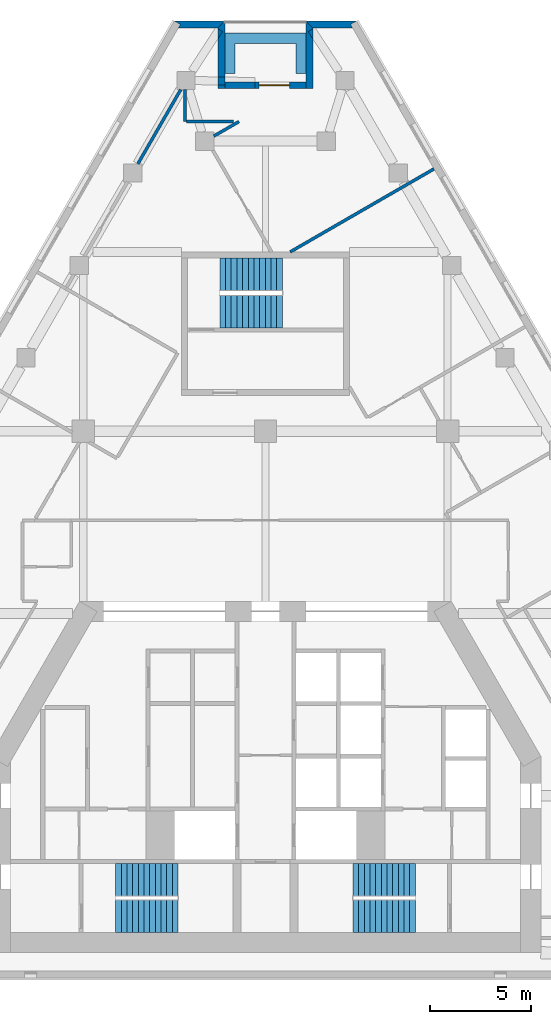
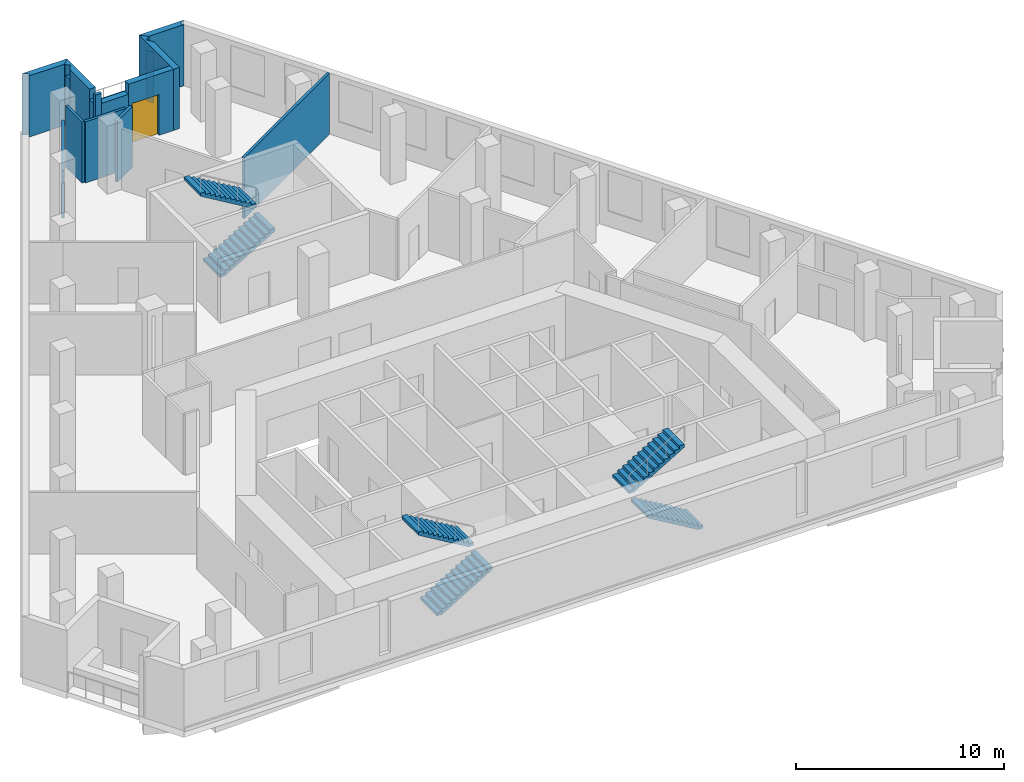
# One storey, part 8 of 9: 16 walls, 6 stair flights, 1 door, 1 opening, 3 elements without a shape of their own.
"""IFC4 building model written with IfcOpenShell, lengths in metres."""

from ifc_helpers import new_model, si_unit, direction, frame, frame_2d, origin, place, context, subcontext, project, spatial, polyline, rectangle, outline, extrude, material, layer, layer_set, type_object, element, fill, aggregate, save


model = new_model("IFC4")

# Units and contexts
model_context = context("Model", 3, precision=1e-05, world=origin(), true_north=direction((0.0, 1.0)))
body_context = subcontext(model_context, "Body", "Model", "MODEL_VIEW")
ifc_project = project(units=[si_unit("LENGTHUNIT", "METRE"), si_unit("AREAUNIT", "SQUARE_METRE"), si_unit("VOLUMEUNIT", "CUBIC_METRE"), si_unit("PLANEANGLEUNIT", "RADIAN"), si_unit("MASSUNIT", "GRAM", prefix="KILO")], contexts=[model_context])

# Site, building, storey
site_placement = place(None, origin())
site = spatial("IfcSite", under=ifc_project, at=site_placement, CompositionType="ELEMENT")
building_placement = place(site_placement, origin())
building = spatial("IfcBuilding", under=site, at=building_placement, Name="Fogline Exchange Tower", CompositionType="ELEMENT")
storey_placement = place(building_placement, frame((0.0, 0.0, 210.10009765625)))
storey = spatial("IfcBuildingStorey", under=building, at=storey_placement, Name="L47", CompositionType="ELEMENT", Elevation=210.10009765625)

# Walls
ifc_material_1 = material(Name="Brick masonry", Category="masonry")
ifc_layer_1 = layer(ifc_material_1, 0.340087890625)
ifc_layer_set_1 = layer_set([ifc_layer_1], Name="FW1")
wall_type_1 = type_object("IfcWallType", Name="FW1", PredefinedType="SOLIDWALL", material=ifc_layer_set_1)
wall_1_placement = place(storey_placement, origin())
element("IfcWall", 1, at=wall_1_placement, inside=storey, type_object=wall_type_1, Name="Brick wall L47 N-c1", PredefinedType="SOLIDWALL", context=body_context, shape_type="SweptSolid", body=[
    extrude(outline(polyline([(1.9990234375, 47.26220703125), (4.5009765625, 47.26220703125), (4.501220703125, 47.26171875), (4.206298828125, 47.09130859375), (4.3046875, 46.921142578125), (2.33984375, 46.921142578125), (1.998779296875, 47.261962890625), (1.9990234375, 47.26220703125)])), origin(), (0.0, 0.0, 1.0), 3.599853515625),
])
wall_2_placement = place(storey_placement, origin())
element("IfcWall", 2, at=wall_2_placement, inside=storey, type_object=wall_type_1, Name="Brick wall L47 N-s1", PredefinedType="SOLIDWALL", context=body_context, shape_type="SweptSolid", body=[
    extrude(outline(polyline([(2.340576171875, 46.37451171875), (2.10693359375, 46.730712890625), (2.340576171875, 46.884033203125), (2.340576171875, 46.37451171875)])), origin(), (0.0, 0.0, 1.0), 3.0),
])
wall_3_placement = place(storey_placement, origin())
element("IfcWall", 3, at=wall_3_placement, inside=storey, type_object=wall_type_1, Name="Brick wall L47 N-s1", PredefinedType="SOLIDWALL", context=body_context, shape_type="SweptSolid", body=[
    extrude(outline(polyline([(1.99951171875, 43.921142578125), (1.99951171875, 47.2626953125), (1.999755859375, 47.262939453125), (2.340576171875, 46.921875), (2.340576171875, 46.884033203125), (2.10693359375, 46.730712890625), (2.340576171875, 46.37451171875), (2.340576171875, 43.921142578125), (1.99951171875, 43.921142578125)])), origin(), (0.0, 0.0, 1.0), 3.599853515625),
])

# Wall, opening, door
wall_4_placement = place(storey_placement, frame((2.0, 44.091552734375, 0.0), z_axis=(0.0, 0.0, 1.0), x_axis=(-1.0, 0.0, 0.0)))
wall_4 = element("IfcWall", 4, at=wall_4_placement, inside=storey, type_object=wall_type_1, Name="Brick wall L47 N-bk", PredefinedType="SOLIDWALL", context=body_context, shape_type="SweptSolid", body=[
    extrude(rectangle(XDim=2.509033203125, YDim=0.340087890625, at=frame_2d((1.25439453125, 0.0))), origin(), (0.0, 0.0, 1.0), 3.599853515625),
])
opening_placement = place(wall_4_placement, frame((0.80908203125, 0.0, 0.0)))
opening = element("IfcOpeningElement", 5, at=opening_placement, cuts=wall_4, Name="Opening T15-E141", PredefinedType="OPENING", context=body_context, shape_type="SweptSolid", body=[
    extrude(rectangle(XDim=1.5, YDim=2.39990234375, at=frame_2d((0.75, 1.199951171875))), frame((0.0, 0.18017578125, 0.0), z_axis=(0.0, -1.0, 0.0), x_axis=(1.0, 0.0, 0.0)), (0.0, 0.0, 1.0), 0.360107421875),
])
ifc_material_2 = material(Name="Aluminium and glass", Category="aluminium")
door_type = type_object("IfcDoorType", Name="ED4", OperationType="SINGLE_SWING_LEFT", PredefinedType="DOOR", material=ifc_material_2)
door_placement = place(opening_placement, frame((1.5, 0.0, 0.0), z_axis=(0.0, 0.0, 1.0), x_axis=(-1.0, 0.0, 0.0)))
door = element("IfcDoor", 6, at=door_placement, inside=storey, type_object=door_type, Name="Balcony door L47 N", OperationType="DOUBLE_DOOR_SINGLE_SWING", OverallHeight=2.39990234375, OverallWidth=1.5, PredefinedType="DOOR", context=body_context, shape_type="SweptSolid", body=[
    extrude(rectangle(XDim=1.5, YDim=2.39990234375, at=frame_2d((0.75, 1.199951171875))), frame((0.0, 0.02490234375, 0.0), z_axis=(0.0, -1.0, 0.0), x_axis=(1.0, 0.0, 0.0)), (0.0, 0.0, 1.0), 0.050048828125),
])
fill(opening, door)

# Walls
wall_5_placement = place(storey_placement, frame((-0.509033203125, 44.091552734375, 0.0), z_axis=(0.0, 0.0, 1.0), x_axis=(-1.0, 0.0, 0.0)))
element("IfcWall", 7, at=wall_5_placement, inside=storey, type_object=wall_type_1, Name="Brick wall L47 N-bk", PredefinedType="SOLIDWALL", context=body_context, shape_type="SweptSolid", body=[
    extrude(rectangle(XDim=1.490966796875, YDim=0.340087890625, at=frame_2d((0.74560546875, 0.0))), origin(), (0.0, 0.0, 1.0), 3.0),
])
wall_6_placement = place(storey_placement, origin())
element("IfcWall", 8, at=wall_6_placement, inside=storey, type_object=wall_type_1, Name="Brick wall L47 N-s2", PredefinedType="SOLIDWALL", context=body_context, shape_type="SweptSolid", body=[
    extrude(outline(polyline([(-2.340576171875, 46.876953125), (-2.119873046875, 46.7333984375), (-2.340576171875, 46.393798828125), (-2.340576171875, 46.876953125)])), origin(), (0.0, 0.0, 1.0), 3.0),
])
wall_7_placement = place(storey_placement, origin())
element("IfcWall", 9, at=wall_7_placement, inside=storey, type_object=wall_type_1, Name="Brick wall L47 N-s2", PredefinedType="SOLIDWALL", context=body_context, shape_type="SweptSolid", body=[
    extrude(outline(polyline([(-2.340576171875, 44.50048828125), (-1.99951171875, 44.494873046875), (-1.99951171875, 44.0947265625), (-2.340576171875, 44.100341796875), (-2.340576171875, 44.50048828125)])), origin(), (0.0, 0.0, 1.0), 3.0),
])
wall_8_placement = place(storey_placement, origin())
element("IfcWall", 10, at=wall_8_placement, inside=storey, type_object=wall_type_1, Name="Brick wall L47 N-s2", PredefinedType="SOLIDWALL", context=body_context, shape_type="SweptSolid", body=[
    extrude(outline(polyline([(-2.340576171875, 43.921142578125), (-2.340576171875, 44.100341796875), (-1.99951171875, 44.0947265625), (-1.99951171875, 43.921142578125), (-2.340576171875, 43.921142578125)])), origin(), (0.0, 0.0, 1.0), 3.599853515625),
])
wall_9_placement = place(storey_placement, origin())
element("IfcWall", 11, at=wall_9_placement, inside=storey, type_object=wall_type_1, Name="Brick wall L47 N-s2", PredefinedType="SOLIDWALL", context=body_context, shape_type="SweptSolid", body=[
    extrude(outline(polyline([(-2.340576171875, 46.393798828125), (-2.119873046875, 46.7333984375), (-2.340576171875, 46.876953125), (-2.340576171875, 46.921875), (-1.999755859375, 47.262939453125), (-1.99951171875, 47.2626953125), (-1.99951171875, 44.494873046875), (-2.340576171875, 44.50048828125), (-2.340576171875, 46.393798828125)])), origin(), (0.0, 0.0, 1.0), 3.599853515625),
])
wall_10_placement = place(storey_placement, origin())
element("IfcWall", 12, at=wall_10_placement, inside=storey, type_object=wall_type_1, Name="Brick wall L47 N-c2", PredefinedType="SOLIDWALL", context=body_context, shape_type="SweptSolid", body=[
    extrude(outline(polyline([(-4.3046875, 46.921142578125), (-4.206298828125, 47.09130859375), (-4.501220703125, 47.26171875), (-4.5009765625, 47.26220703125), (-1.9990234375, 47.26220703125), (-1.998779296875, 47.261962890625), (-2.33984375, 46.921142578125), (-4.3046875, 46.921142578125)])), origin(), (0.0, 0.0, 1.0), 3.599853515625),
])
ifc_material_3 = material(Name="Concrete C30", Category="concrete")
ifc_layer_2 = layer(ifc_material_3, 0.199951171875)
ifc_layer_set_2 = layer_set([ifc_layer_2], Name="PL1")
wall_type_2 = type_object("IfcWallType", Name="PL1", PredefinedType="USERDEFINED", material=ifc_layer_set_2)
wall_11_placement = place(storey_placement, origin())
element("IfcWall", 13, at=wall_11_placement, inside=storey, type_object=wall_type_2, Name="PLANTER balcony L47 N", ObjectType="PLANTER", PredefinedType="USERDEFINED", context=body_context, shape_type="SweptSolid", body=[
    extrude(outline(polyline([(-1.5, 46.66162109375), (-2.0, 46.66162109375), (-2.0, 46.16162109375), (-2.0, 44.66162109375), (-1.5, 44.66162109375), (-1.5, 46.16162109375), (1.5, 46.16162109375), (1.5, 44.66162109375), (2.0, 44.66162109375), (2.0, 46.16162109375), (2.0, 46.66162109375), (1.5, 46.66162109375), (-1.5, 46.66162109375)])), origin(), (0.0, 0.0, 1.0), 1.099853515625),
])
ifc_material_4 = material(Name="Plasterboard demising partition with mineral wool and acoustic board")
ifc_layer_3 = layer(ifc_material_4, 0.14990234375)
ifc_layer_set_3 = layer_set([ifc_layer_3], Name="PW3")
wall_type_3 = type_object("IfcWallType", Name="PW3", PredefinedType="PARTITIONING", material=ifc_layer_set_3)
wall_12_placement = place(storey_placement, frame((1.22119140625, 35.85693359375, 0.0), z_axis=(0.0, 0.0, 1.0), x_axis=(0.866018040531, 0.500012753312, 0.0)))
element("IfcWall", 14, at=wall_12_placement, inside=storey, type_object=wall_type_3, Name="wall-L47-W026", PredefinedType="PARTITIONING", context=body_context, shape_type="SweptSolid", body=[
    extrude(rectangle(XDim=8.201904296875, YDim=0.14990234375, at=frame_2d((4.10107421875, 0.0))), origin(), (0.0, 0.0, 1.0), 3.599853515625),
])
wall_13_placement = place(storey_placement, frame((-2.550048828125, 41.577880859375, 0.0), z_axis=(0.0, 0.0, 1.0), x_axis=(0.866074936473, 0.499914197051, 0.0)))
element("IfcWall", 15, at=wall_13_placement, inside=storey, type_object=wall_type_3, Name="wall-L47-W030", PredefinedType="PARTITIONING", context=body_context, shape_type="SweptSolid", body=[
    extrude(rectangle(XDim=1.432861328125, YDim=0.14990234375, at=frame_2d((0.71630859375, 0.0))), origin(), (0.0, 0.0, 1.0), 3.599853515625),
])
wall_14_placement = place(storey_placement, frame((-6.29931640625, 40.210205078125, 0.0), z_axis=(0.0, 0.0, 1.0), x_axis=(0.499972045304, 0.866041542834, 0.0)))
element("IfcWall", 16, at=wall_14_placement, inside=storey, type_object=wall_type_3, Name="wall-L47-W033", PredefinedType="PARTITIONING", context=body_context, shape_type="SweptSolid", body=[
    extrude(rectangle(XDim=4.233642578125, YDim=0.14990234375, at=frame_2d((2.11669921875, 0.0))), origin(), (0.0, 0.0, 1.0), 2.7998046875),
])
wall_15_placement = place(storey_placement, frame((-3.967529296875, 43.876708984375, 0.0), z_axis=(0.0, 0.0, 1.0), x_axis=(0.0, -1.0, 0.0)))
element("IfcWall", 17, at=wall_15_placement, inside=storey, type_object=wall_type_3, Name="wall-L47-W034", PredefinedType="PARTITIONING", context=body_context, shape_type="SweptSolid", body=[
    extrude(rectangle(XDim=1.58251953125, YDim=0.14990234375, at=frame_2d((0.791259765625, 0.0))), origin(), (0.0, 0.0, 1.0), 3.599853515625),
])
wall_16_placement = place(storey_placement, frame((-3.892578125, 42.294189453125, 0.0), z_axis=(0.0, 0.0, 1.0), x_axis=(1.0, 0.0, 0.0)))
element("IfcWall", 18, at=wall_16_placement, inside=storey, type_object=wall_type_3, Name="wall-L47-W035", PredefinedType="PARTITIONING", context=body_context, shape_type="SweptSolid", body=[
    extrude(rectangle(XDim=2.302978515625, YDim=0.14990234375, at=frame_2d((1.1513671875, 0.0))), origin(), (0.0, 0.0, 1.0), 3.599853515625),
])

# Stair, stair flights
ifc_material_5 = material(Name="Concrete C40", Category="concrete")
stair_type = type_object("IfcStairType", Name="STR24-1667", PredefinedType="HALF_TURN_STAIR", material=ifc_material_5)
stair_1_placement = place(storey_placement, origin())
stair_1 = element("IfcStair", 19, at=stair_1_placement, inside=storey, type_object=stair_type, Name="Stair ST1", PredefinedType="HALF_TURN_STAIR")
stair_flight_type = type_object("IfcStairFlightType", Name="SF12-1667", PredefinedType="STRAIGHT", material=ifc_material_5)
stair_flight_1_placement = place(storey_placement, frame((-7.39990234375, 3.050048828125, 0.0), z_axis=(0.0, 0.0, 1.0), x_axis=(1.0, 0.0, 0.0)))
stair_flight_1 = element("IfcStairFlight", 20, at=stair_flight_1_placement, type_object=stair_flight_type, Name="ST1 flight 1", NumberOfRisers=12, NumberOfTreads=11, PredefinedType="STRAIGHT", RiserHeight=0.166666667, TreadLength=0.28, context=body_context, shape_type="SweptSolid", body=[
    extrude(outline(polyline([(0.0, 0.0), (0.0, 0.166748046875), (0.280029296875, 0.166748046875), (0.280029296875, 0.333251953125), (0.56005859375, 0.333251953125), (0.56005859375, 0.5), (0.840087890625, 0.5), (0.840087890625, 0.666748046875), (1.1201171875, 0.666748046875), (1.1201171875, 0.833251953125), (1.39990234375, 0.833251953125), (1.39990234375, 1.0), (1.679931640625, 1.0), (1.679931640625, 1.166748046875), (1.9599609375, 1.166748046875), (1.9599609375, 1.333251953125), (2.239990234375, 1.333251953125), (2.239990234375, 1.5), (2.52001953125, 1.5), (2.52001953125, 1.666748046875), (2.800048828125, 1.666748046875), (2.800048828125, 1.833251953125), (3.080078125, 1.833251953125), (3.080078125, 2.0), (3.080078125, 1.658935546875), (0.29296875, 0.0), (0.0, 0.0)])), frame((0.0, 0.800048828125, 0.0), z_axis=(0.0, -1.0, 0.0), x_axis=(1.0, 0.0, 0.0)), (0.0, 0.0, 1.0), 1.60009765625),
])
stair_flight_2_placement = place(storey_placement, frame((-4.320068359375, 4.85009765625, 2.0), z_axis=(0.0, 0.0, 1.0), x_axis=(-1.0, 0.0, 0.0)))
stair_flight_2 = element("IfcStairFlight", 21, at=stair_flight_2_placement, type_object=stair_flight_type, Name="ST1 flight 2", NumberOfRisers=12, NumberOfTreads=11, PredefinedType="STRAIGHT", RiserHeight=0.166666667, TreadLength=0.28, context=body_context, shape_type="SweptSolid", body=[
    extrude(outline(polyline([(0.0, 0.0), (0.0, 0.166748046875), (0.280029296875, 0.166748046875), (0.280029296875, 0.333251953125), (0.56005859375, 0.333251953125), (0.56005859375, 0.5), (0.840087890625, 0.5), (0.840087890625, 0.666748046875), (1.1201171875, 0.666748046875), (1.1201171875, 0.833251953125), (1.39990234375, 0.833251953125), (1.39990234375, 1.0), (1.679931640625, 1.0), (1.679931640625, 1.166748046875), (1.9599609375, 1.166748046875), (1.9599609375, 1.333251953125), (2.239990234375, 1.333251953125), (2.239990234375, 1.5), (2.52001953125, 1.5), (2.52001953125, 1.666748046875), (2.800048828125, 1.666748046875), (2.800048828125, 1.833251953125), (3.080078125, 1.833251953125), (3.080078125, 2.0), (3.080078125, 1.658935546875), (0.29296875, 0.0), (0.0, 0.0)])), frame((0.0, 0.800048828125, 0.0), z_axis=(0.0, -1.0, 0.0), x_axis=(1.0, 0.0, 0.0)), (0.0, 0.0, 1.0), 1.60009765625),
])
aggregate(stair_1, [stair_flight_1, stair_flight_2])

stair_2_placement = place(storey_placement, origin())
stair_2 = element("IfcStair", 22, at=stair_2_placement, inside=storey, type_object=stair_type, Name="Stair ST2", PredefinedType="HALF_TURN_STAIR")
stair_flight_3_placement = place(storey_placement, frame((7.39990234375, 3.050048828125, 0.0), z_axis=(0.0, 0.0, 1.0), x_axis=(-1.0, 0.0, 0.0)))
stair_flight_3 = element("IfcStairFlight", 23, at=stair_flight_3_placement, type_object=stair_flight_type, Name="ST2 flight 1", NumberOfRisers=12, NumberOfTreads=11, PredefinedType="STRAIGHT", RiserHeight=0.166666667, TreadLength=0.28, context=body_context, shape_type="SweptSolid", body=[
    extrude(outline(polyline([(0.0, 0.0), (0.0, 0.166748046875), (0.280029296875, 0.166748046875), (0.280029296875, 0.333251953125), (0.56005859375, 0.333251953125), (0.56005859375, 0.5), (0.840087890625, 0.5), (0.840087890625, 0.666748046875), (1.1201171875, 0.666748046875), (1.1201171875, 0.833251953125), (1.39990234375, 0.833251953125), (1.39990234375, 1.0), (1.679931640625, 1.0), (1.679931640625, 1.166748046875), (1.9599609375, 1.166748046875), (1.9599609375, 1.333251953125), (2.239990234375, 1.333251953125), (2.239990234375, 1.5), (2.52001953125, 1.5), (2.52001953125, 1.666748046875), (2.800048828125, 1.666748046875), (2.800048828125, 1.833251953125), (3.080078125, 1.833251953125), (3.080078125, 2.0), (3.080078125, 1.658935546875), (0.29296875, 0.0), (0.0, 0.0)])), frame((0.0, 0.800048828125, 0.0), z_axis=(0.0, -1.0, 0.0), x_axis=(1.0, 0.0, 0.0)), (0.0, 0.0, 1.0), 1.60009765625),
])
stair_flight_4_placement = place(storey_placement, frame((4.320068359375, 4.85009765625, 2.0), z_axis=(0.0, 0.0, 1.0), x_axis=(1.0, 0.0, 0.0)))
stair_flight_4 = element("IfcStairFlight", 24, at=stair_flight_4_placement, type_object=stair_flight_type, Name="ST2 flight 2", NumberOfRisers=12, NumberOfTreads=11, PredefinedType="STRAIGHT", RiserHeight=0.166666667, TreadLength=0.28, context=body_context, shape_type="SweptSolid", body=[
    extrude(outline(polyline([(0.0, 0.0), (0.0, 0.166748046875), (0.280029296875, 0.166748046875), (0.280029296875, 0.333251953125), (0.56005859375, 0.333251953125), (0.56005859375, 0.5), (0.840087890625, 0.5), (0.840087890625, 0.666748046875), (1.1201171875, 0.666748046875), (1.1201171875, 0.833251953125), (1.39990234375, 0.833251953125), (1.39990234375, 1.0), (1.679931640625, 1.0), (1.679931640625, 1.166748046875), (1.9599609375, 1.166748046875), (1.9599609375, 1.333251953125), (2.239990234375, 1.333251953125), (2.239990234375, 1.5), (2.52001953125, 1.5), (2.52001953125, 1.666748046875), (2.800048828125, 1.666748046875), (2.800048828125, 1.833251953125), (3.080078125, 1.833251953125), (3.080078125, 2.0), (3.080078125, 1.658935546875), (0.29296875, 0.0), (0.0, 0.0)])), frame((0.0, 0.800048828125, 0.0), z_axis=(0.0, -1.0, 0.0), x_axis=(1.0, 0.0, 0.0)), (0.0, 0.0, 1.0), 1.60009765625),
])
aggregate(stair_2, [stair_flight_3, stair_flight_4])

stair_3_placement = place(storey_placement, origin())
stair_3 = element("IfcStair", 25, at=stair_3_placement, inside=storey, type_object=stair_type, Name="Stair ST3", PredefinedType="HALF_TURN_STAIR")
stair_flight_5_placement = place(storey_placement, frame((-2.25, 32.906982421875, 0.0), z_axis=(0.0, 0.0, 1.0), x_axis=(1.0, 0.0, 0.0)))
stair_flight_5 = element("IfcStairFlight", 26, at=stair_flight_5_placement, type_object=stair_flight_type, Name="ST3 flight 1", NumberOfRisers=12, NumberOfTreads=11, PredefinedType="STRAIGHT", RiserHeight=0.166666667, TreadLength=0.28, context=body_context, shape_type="SweptSolid", body=[
    extrude(outline(polyline([(0.0, 0.0), (0.0, 0.166748046875), (0.280029296875, 0.166748046875), (0.280029296875, 0.333251953125), (0.56005859375, 0.333251953125), (0.56005859375, 0.5), (0.840087890625, 0.5), (0.840087890625, 0.666748046875), (1.1201171875, 0.666748046875), (1.1201171875, 0.833251953125), (1.39990234375, 0.833251953125), (1.39990234375, 1.0), (1.679931640625, 1.0), (1.679931640625, 1.166748046875), (1.9599609375, 1.166748046875), (1.9599609375, 1.333251953125), (2.239990234375, 1.333251953125), (2.239990234375, 1.5), (2.52001953125, 1.5), (2.52001953125, 1.666748046875), (2.800048828125, 1.666748046875), (2.800048828125, 1.833251953125), (3.080078125, 1.833251953125), (3.080078125, 2.0), (3.080078125, 1.658935546875), (0.29296875, 0.0), (0.0, 0.0)])), frame((0.0, 0.800048828125, 0.0), z_axis=(0.0, -1.0, 0.0), x_axis=(1.0, 0.0, 0.0)), (0.0, 0.0, 1.0), 1.60009765625),
])
stair_flight_6_placement = place(storey_placement, frame((0.830078125, 34.757080078125, 2.0), z_axis=(0.0, 0.0, 1.0), x_axis=(-1.0, 0.0, 0.0)))
stair_flight_6 = element("IfcStairFlight", 27, at=stair_flight_6_placement, type_object=stair_flight_type, Name="ST3 flight 2", NumberOfRisers=12, NumberOfTreads=11, PredefinedType="STRAIGHT", RiserHeight=0.166666667, TreadLength=0.28, context=body_context, shape_type="SweptSolid", body=[
    extrude(outline(polyline([(0.0, 0.0), (0.0, 0.166748046875), (0.280029296875, 0.166748046875), (0.280029296875, 0.333251953125), (0.56005859375, 0.333251953125), (0.56005859375, 0.5), (0.840087890625, 0.5), (0.840087890625, 0.666748046875), (1.1201171875, 0.666748046875), (1.1201171875, 0.833251953125), (1.39990234375, 0.833251953125), (1.39990234375, 1.0), (1.679931640625, 1.0), (1.679931640625, 1.166748046875), (1.9599609375, 1.166748046875), (1.9599609375, 1.333251953125), (2.239990234375, 1.333251953125), (2.239990234375, 1.5), (2.52001953125, 1.5), (2.52001953125, 1.666748046875), (2.800048828125, 1.666748046875), (2.800048828125, 1.833251953125), (3.080078125, 1.833251953125), (3.080078125, 2.0), (3.080078125, 1.658935546875), (0.29296875, 0.0), (0.0, 0.0)])), frame((0.0, 0.800048828125, 0.0), z_axis=(0.0, -1.0, 0.0), x_axis=(1.0, 0.0, 0.0)), (0.0, 0.0, 1.0), 1.60009765625),
])
aggregate(stair_3, [stair_flight_5, stair_flight_6])

save(model, "model.ifc")
